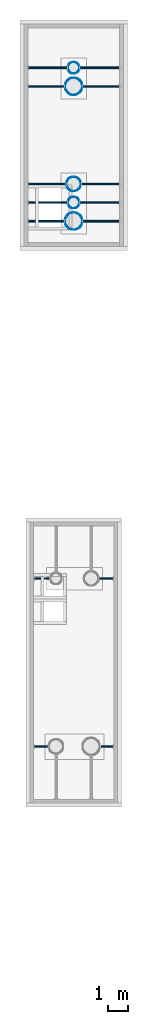
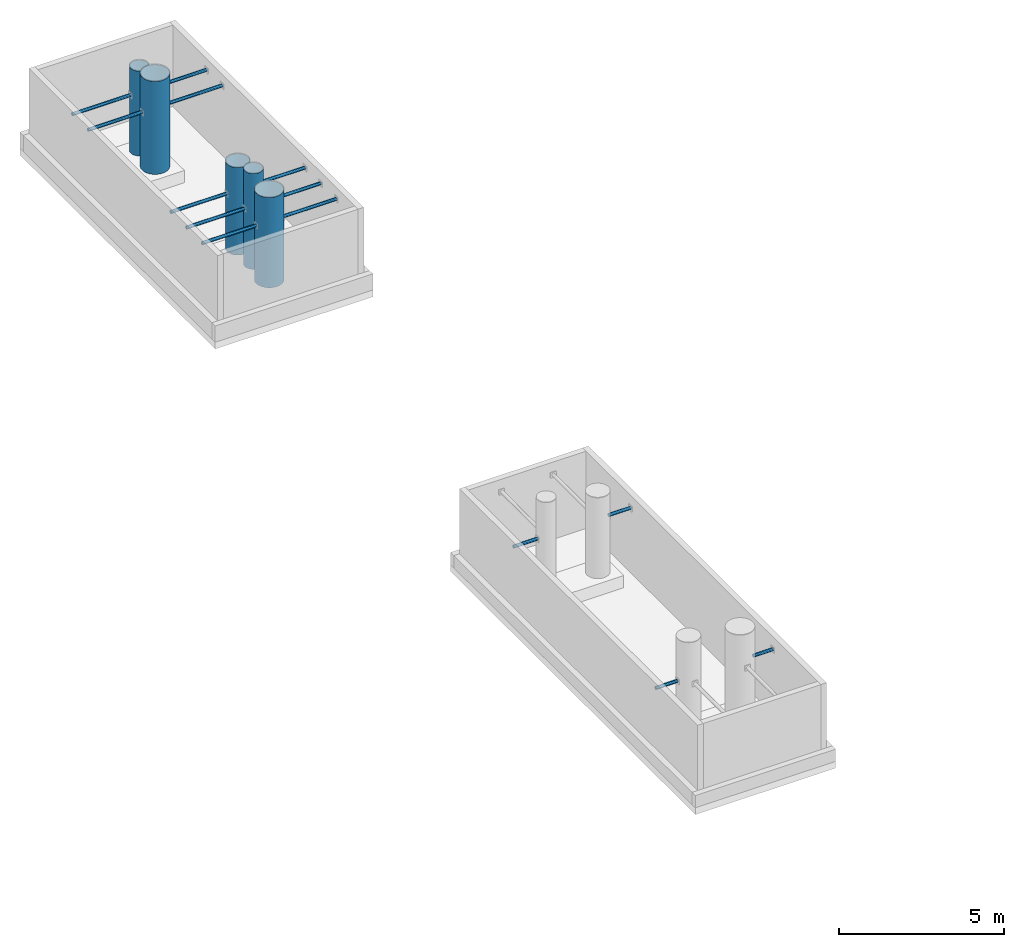
# One storey, part 2 of 7: 19 members.
"""IFC4 building model written with IfcOpenShell, lengths in metres."""

from ifc_helpers import new_model, si_unit, direction, frame, origin, origin_2d, place, context, subcontext, project, spatial, hollow_circle, extrude, material, material_profile, profile_set, type_object, element, save


model = new_model("IFC4")

# Units and contexts
model_context = context("Model", 3, precision=1e-05, world=origin(), true_north=direction((0.0, 1.0)))
body_context = subcontext(model_context, "Body", "Model", "MODEL_VIEW")
ifc_project = project(units=[si_unit("LENGTHUNIT", "METRE"), si_unit("AREAUNIT", "SQUARE_METRE"), si_unit("VOLUMEUNIT", "CUBIC_METRE"), si_unit("PLANEANGLEUNIT", "RADIAN"), si_unit("MASSUNIT", "GRAM", prefix="KILO")], contexts=[model_context])

# Site, building, storey
site_placement = place(None, origin())
site = spatial("IfcSite", under=ifc_project, at=site_placement, CompositionType="ELEMENT")
building_placement = place(site_placement, origin())
building = spatial("IfcBuilding", under=site, at=building_placement, Name="Basin Gate Institute", CompositionType="ELEMENT")
storey_placement = place(building_placement, frame((0.0, 0.0, 78.60009765625)))
storey = spatial("IfcBuildingStorey", under=building, at=storey_placement, Name="UPPER ROOF", CompositionType="ELEMENT", Elevation=78.60009765625)

# Members
ifc_material_1 = material(Name="Structural steel SN490", Category="steel")
ifc_material_profile_1 = material_profile(ifc_material_1, hollow_circle(Radius=0.300048828125, WallThickness=0.011962890625, at=origin_2d()), Name="CHS600x12")
ifc_profile_set_1 = profile_set([ifc_material_profile_1], Name="Structural steel SN490")
member_type_1 = type_object("IfcMemberType", Name="Exhaust pipe EX1", PredefinedType="POST", material=ifc_profile_set_1)
member_1_placement = place(storey_placement, frame((63.449951171875, 91.050048828125, 0.699951171875), z_axis=(0.0, 0.0, 1.0), x_axis=(1.0, 0.0, 0.0)))
element("IfcMember", 1, at=member_1_placement, inside=storey, type_object=member_type_1, material=ifc_profile_set_1, Name="Exhaust pipe EX1 WN 2", PredefinedType="POST", context=body_context, shape_type="SweptSolid", body=[
    extrude(hollow_circle(Radius=0.300048828125, WallThickness=0.011962890625, at=origin_2d()), origin(), (0.0, 0.0, 1.0), 3.530029296875),
])
member_2_placement = place(storey_placement, frame((63.449951171875, 97.949951171875, 0.699951171875), z_axis=(0.0, 0.0, 1.0), x_axis=(1.0, 0.0, 0.0)))
element("IfcMember", 2, at=member_2_placement, inside=storey, type_object=member_type_1, material=ifc_profile_set_1, Name="Exhaust pipe EX1 WN 5", PredefinedType="POST", context=body_context, shape_type="SweptSolid", body=[
    extrude(hollow_circle(Radius=0.300048828125, WallThickness=0.011962890625, at=origin_2d()), origin(), (0.0, 0.0, 1.0), 3.1298828125),
])
ifc_material_2 = material(Name="Structural steel SN490", Category="steel")
ifc_material_profile_2 = material_profile(ifc_material_2, hollow_circle(Radius=0.375, WallThickness=0.013916015625, at=origin_2d()), Name="CHS750x14")
ifc_profile_set_2 = profile_set([ifc_material_profile_2], Name="Structural steel SN490")
member_type_2 = type_object("IfcMemberType", Name="Exhaust pipe EX2", PredefinedType="POST", material=ifc_profile_set_2)
member_3_placement = place(storey_placement, frame((63.449951171875, 92.0, 0.699951171875), z_axis=(0.0, 0.0, 1.0), x_axis=(1.0, 0.0, 0.0)))
element("IfcMember", 3, at=member_3_placement, inside=storey, type_object=member_type_2, material=ifc_profile_set_2, Name="Exhaust pipe EX2 WN 3", PredefinedType="POST", context=body_context, shape_type="SweptSolid", body=[
    extrude(hollow_circle(Radius=0.375, WallThickness=0.013916015625, at=origin_2d()), origin(), (0.0, 0.0, 1.0), 3.22998046875),
])
ifc_material_3 = material(Name="Structural steel SN490", Category="steel")
ifc_material_profile_3 = material_profile(ifc_material_3, hollow_circle(Radius=0.449951171875, WallThickness=0.01611328125, at=origin_2d()), Name="CHS900x16")
ifc_profile_set_3 = profile_set([ifc_material_profile_3], Name="Structural steel SN490")
member_type_3 = type_object("IfcMemberType", Name="Exhaust pipe EX3", PredefinedType="POST", material=ifc_profile_set_3)
member_4_placement = place(storey_placement, frame((63.449951171875, 90.10009765625, 0.699951171875), z_axis=(0.0, 0.0, 1.0), x_axis=(1.0, 0.0, 0.0)))
element("IfcMember", 4, at=member_4_placement, inside=storey, type_object=member_type_3, material=ifc_profile_set_3, Name="Exhaust pipe EX3 WN 1", PredefinedType="POST", context=body_context, shape_type="SweptSolid", body=[
    extrude(hollow_circle(Radius=0.449951171875, WallThickness=0.01611328125, at=origin_2d()), origin(), (0.0, 0.0, 1.0), 3.329833984375),
])
member_5_placement = place(storey_placement, frame((63.449951171875, 97.0, 0.699951171875), z_axis=(0.0, 0.0, 1.0), x_axis=(1.0, 0.0, 0.0)))
element("IfcMember", 5, at=member_5_placement, inside=storey, type_object=member_type_3, material=ifc_profile_set_3, Name="Exhaust pipe EX3 WN 4", PredefinedType="POST", context=body_context, shape_type="SweptSolid", body=[
    extrude(hollow_circle(Radius=0.449951171875, WallThickness=0.01611328125, at=origin_2d()), origin(), (0.0, 0.0, 1.0), 3.429931640625),
])
ifc_material_4 = material(Name="Structural steel SN490", Category="steel")
ifc_material_profile_4 = material_profile(ifc_material_4, hollow_circle(Radius=0.05712890625, WallThickness=0.0048828125, at=origin_2d()), Name="CHS114x5")
ifc_profile_set_4 = profile_set([ifc_material_profile_4], Name="Structural steel SN490")
member_type_4 = type_object("IfcMemberType", Name="Exhaust pipe tie TD5", PredefinedType="BRACE", material=ifc_profile_set_4)
member_6_placement = place(storey_placement, frame((62.175048828125, 63.199951171875, 2.64990234375), z_axis=(-1.0, 0.0, 0.0), x_axis=(0.0, -1.0, 0.0)))
element("IfcMember", 6, at=member_6_placement, inside=storey, type_object=member_type_4, material=ifc_profile_set_4, Name="Exhaust pipe tie TD5 WM 1a", PredefinedType="BRACE", context=body_context, shape_type="SweptSolid", body=[
    extrude(hollow_circle(Radius=0.05712890625, WallThickness=0.0048828125, at=origin_2d()), origin(), (0.0, 0.0, 1.0), 0.775146484375),
])
member_7_placement = place(storey_placement, frame((64.800048828125, 63.199951171875, 2.64990234375), z_axis=(1.0, 0.0, 0.0), x_axis=(0.0, 1.0, 0.0)))
element("IfcMember", 7, at=member_7_placement, inside=storey, type_object=member_type_4, material=ifc_profile_set_4, Name="Exhaust pipe tie TD5 WM 2a", PredefinedType="BRACE", context=body_context, shape_type="SweptSolid", body=[
    extrude(hollow_circle(Radius=0.05712890625, WallThickness=0.0048828125, at=origin_2d()), origin(), (0.0, 0.0, 1.0), 0.699951171875),
])
member_8_placement = place(storey_placement, frame((62.25, 71.800048828125, 2.64990234375), z_axis=(-1.0, 0.0, 0.0), x_axis=(0.0, -1.0, 0.0)))
element("IfcMember", 8, at=member_8_placement, inside=storey, type_object=member_type_4, material=ifc_profile_set_4, Name="Exhaust pipe tie TD5 WM 3a", PredefinedType="BRACE", context=body_context, shape_type="SweptSolid", body=[
    extrude(hollow_circle(Radius=0.05712890625, WallThickness=0.0048828125, at=origin_2d()), origin(), (0.0, 0.0, 1.0), 0.85009765625),
])
member_9_placement = place(storey_placement, frame((64.72509765625, 71.800048828125, 2.64990234375), z_axis=(1.0, 0.0, 0.0), x_axis=(0.0, 1.0, 0.0)))
element("IfcMember", 9, at=member_9_placement, inside=storey, type_object=member_type_4, material=ifc_profile_set_4, Name="Exhaust pipe tie TD5 WM 4a", PredefinedType="BRACE", context=body_context, shape_type="SweptSolid", body=[
    extrude(hollow_circle(Radius=0.05712890625, WallThickness=0.0048828125, at=origin_2d()), origin(), (0.0, 0.0, 1.0), 0.77490234375),
])
member_10_placement = place(storey_placement, frame((63.0, 90.10009765625, 2.849853515625), z_axis=(-1.0, 0.0, 0.0), x_axis=(0.0, -1.0, 0.0)))
element("IfcMember", 10, at=member_10_placement, inside=storey, type_object=member_type_4, material=ifc_profile_set_4, Name="Exhaust pipe tie TD5 WN 1a", PredefinedType="BRACE", context=body_context, shape_type="SweptSolid", body=[
    extrude(hollow_circle(Radius=0.05712890625, WallThickness=0.0048828125, at=origin_2d()), origin(), (0.0, 0.0, 1.0), 1.89990234375),
])
member_11_placement = place(storey_placement, frame((63.89990234375, 90.10009765625, 2.849853515625), z_axis=(1.0, 0.0, 0.0), x_axis=(0.0, 1.0, 0.0)))
element("IfcMember", 11, at=member_11_placement, inside=storey, type_object=member_type_4, material=ifc_profile_set_4, Name="Exhaust pipe tie TD5 WN 1b", PredefinedType="BRACE", context=body_context, shape_type="SweptSolid", body=[
    extrude(hollow_circle(Radius=0.05712890625, WallThickness=0.0048828125, at=origin_2d()), origin(), (0.0, 0.0, 1.0), 1.900146484375),
])
member_12_placement = place(storey_placement, frame((63.14990234375, 91.050048828125, 2.849853515625), z_axis=(-1.0, 0.0, 0.0), x_axis=(0.0, -1.0, 0.0)))
element("IfcMember", 12, at=member_12_placement, inside=storey, type_object=member_type_4, material=ifc_profile_set_4, Name="Exhaust pipe tie TD5 WN 2a", PredefinedType="BRACE", context=body_context, shape_type="SweptSolid", body=[
    extrude(hollow_circle(Radius=0.05712890625, WallThickness=0.0048828125, at=origin_2d()), origin(), (0.0, 0.0, 1.0), 2.0498046875),
])
member_13_placement = place(storey_placement, frame((63.75, 91.050048828125, 2.849853515625), z_axis=(1.0, 0.0, 0.0), x_axis=(0.0, 1.0, 0.0)))
element("IfcMember", 13, at=member_13_placement, inside=storey, type_object=member_type_4, material=ifc_profile_set_4, Name="Exhaust pipe tie TD5 WN 2b", PredefinedType="BRACE", context=body_context, shape_type="SweptSolid", body=[
    extrude(hollow_circle(Radius=0.05712890625, WallThickness=0.0048828125, at=origin_2d()), origin(), (0.0, 0.0, 1.0), 2.050048828125),
])
member_14_placement = place(storey_placement, frame((63.074951171875, 92.0, 2.849853515625), z_axis=(-1.0, 0.0, 0.0), x_axis=(0.0, -1.0, 0.0)))
element("IfcMember", 14, at=member_14_placement, inside=storey, type_object=member_type_4, material=ifc_profile_set_4, Name="Exhaust pipe tie TD5 WN 3a", PredefinedType="BRACE", context=body_context, shape_type="SweptSolid", body=[
    extrude(hollow_circle(Radius=0.05712890625, WallThickness=0.0048828125, at=origin_2d()), origin(), (0.0, 0.0, 1.0), 1.974853515625),
])
member_15_placement = place(storey_placement, frame((63.824951171875, 92.0, 2.849853515625), z_axis=(1.0, 0.0, 0.0), x_axis=(0.0, 1.0, 0.0)))
element("IfcMember", 15, at=member_15_placement, inside=storey, type_object=member_type_4, material=ifc_profile_set_4, Name="Exhaust pipe tie TD5 WN 3b", PredefinedType="BRACE", context=body_context, shape_type="SweptSolid", body=[
    extrude(hollow_circle(Radius=0.05712890625, WallThickness=0.0048828125, at=origin_2d()), origin(), (0.0, 0.0, 1.0), 1.97509765625),
])
member_16_placement = place(storey_placement, frame((63.0, 97.0, 2.849853515625), z_axis=(-1.0, 0.0, 0.0), x_axis=(0.0, -1.0, 0.0)))
element("IfcMember", 16, at=member_16_placement, inside=storey, type_object=member_type_4, material=ifc_profile_set_4, Name="Exhaust pipe tie TD5 WN 4a", PredefinedType="BRACE", context=body_context, shape_type="SweptSolid", body=[
    extrude(hollow_circle(Radius=0.05712890625, WallThickness=0.0048828125, at=origin_2d()), origin(), (0.0, 0.0, 1.0), 1.89990234375),
])
member_17_placement = place(storey_placement, frame((63.89990234375, 97.0, 2.849853515625), z_axis=(1.0, 0.0, 0.0), x_axis=(0.0, 1.0, 0.0)))
element("IfcMember", 17, at=member_17_placement, inside=storey, type_object=member_type_4, material=ifc_profile_set_4, Name="Exhaust pipe tie TD5 WN 4b", PredefinedType="BRACE", context=body_context, shape_type="SweptSolid", body=[
    extrude(hollow_circle(Radius=0.05712890625, WallThickness=0.0048828125, at=origin_2d()), origin(), (0.0, 0.0, 1.0), 1.900146484375),
])
member_18_placement = place(storey_placement, frame((63.14990234375, 97.949951171875, 2.849853515625), z_axis=(-1.0, 0.0, 0.0), x_axis=(0.0, -1.0, 0.0)))
element("IfcMember", 18, at=member_18_placement, inside=storey, type_object=member_type_4, material=ifc_profile_set_4, Name="Exhaust pipe tie TD5 WN 5a", PredefinedType="BRACE", context=body_context, shape_type="SweptSolid", body=[
    extrude(hollow_circle(Radius=0.05712890625, WallThickness=0.0048828125, at=origin_2d()), origin(), (0.0, 0.0, 1.0), 2.0498046875),
])
member_19_placement = place(storey_placement, frame((63.75, 97.949951171875, 2.849853515625), z_axis=(1.0, 0.0, 0.0), x_axis=(0.0, 1.0, 0.0)))
element("IfcMember", 19, at=member_19_placement, inside=storey, type_object=member_type_4, material=ifc_profile_set_4, Name="Exhaust pipe tie TD5 WN 5b", PredefinedType="BRACE", context=body_context, shape_type="SweptSolid", body=[
    extrude(hollow_circle(Radius=0.05712890625, WallThickness=0.0048828125, at=origin_2d()), origin(), (0.0, 0.0, 1.0), 2.050048828125),
])

save(model, "model.ifc")
